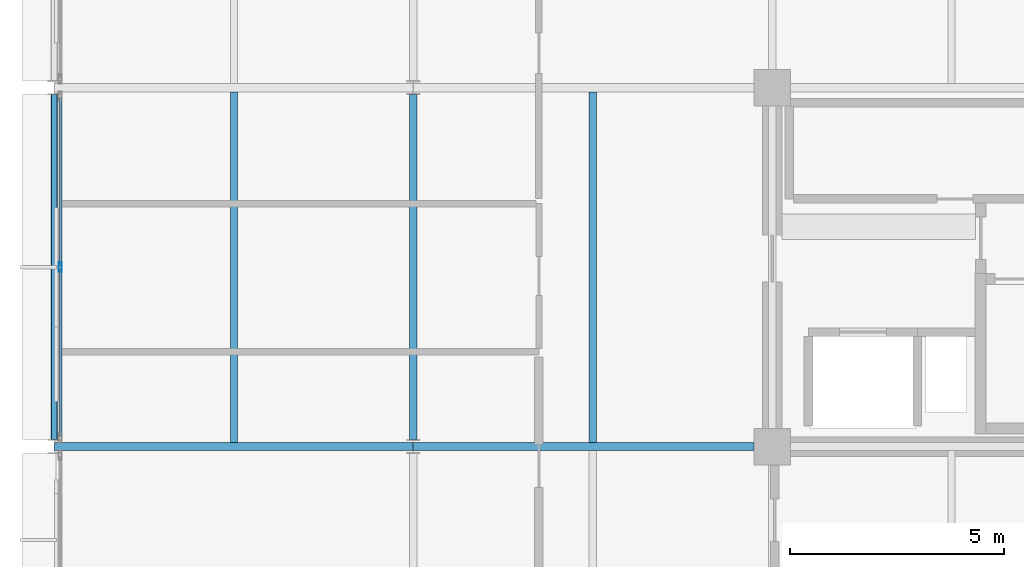
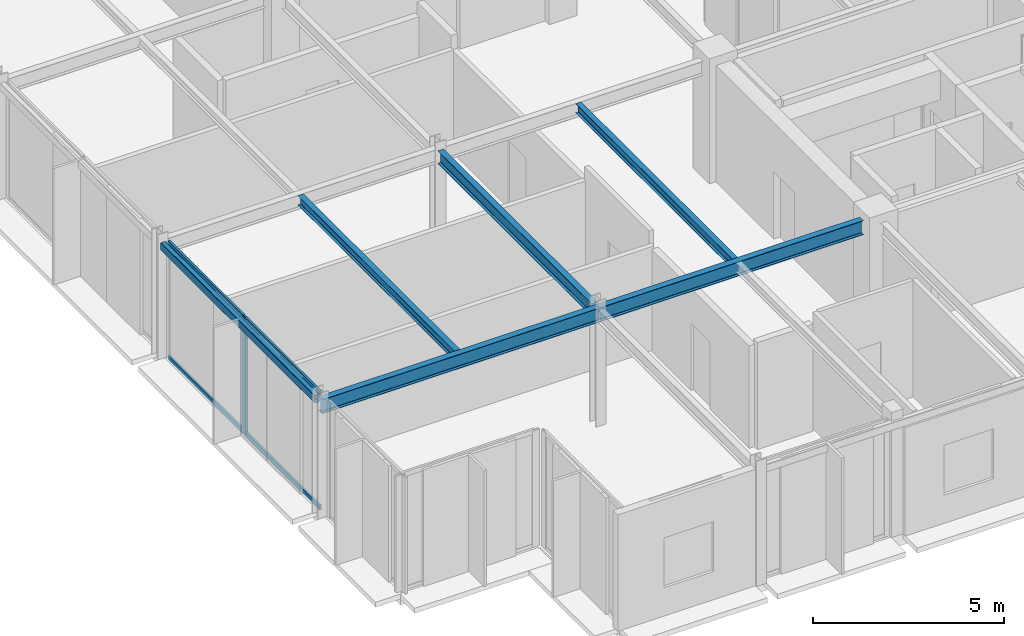
# One storey, part 4 of 23: 6 beams, 5 members, 1 element without a shape of its own.
"""IFC4 building model written with IfcOpenShell, lengths in metres."""

import ifcopenshell
import ifcopenshell.guid

model = None  # the IFC model being written
_history = None  # IfcOwnerHistory: only IFC2X3 demands one
_inside = {}  # id of a spatial element -> (the spatial element, [elements in it])
_under = {}  # id of a project, library or spatial element -> (it, [spatial elements below it])
_declared = {}  # id of a project -> (the project, [libraries it declares])
_typed = {}  # id of a type object -> (the type object, [elements of that type])
_made_of = {}  # id of a material, layer set ... -> (it, [elements and type objects made of it])


def new_model(schema):
    """Start an empty IFC model of exactly this schema.

    Asked for "IFC4X3", IfcOpenShell would pick the latest addendum, in which some entities
    have other attributes; the version numbers below select the first issue.
    IFC2X3 requires an IfcOwnerHistory on every rooted entity: one is made here for all.
    """
    global model, _history
    if schema == "IFC4X3":
        model = ifcopenshell.file(schema_version=(4, 3, 0, 0))
    else:
        model = ifcopenshell.file(schema=schema)
    _inside.clear()
    _under.clear()
    _declared.clear()
    _typed.clear()
    _made_of.clear()
    _history = None
    if model.schema == "IFC2X3":
        org = make("IfcOrganization", Name="unknown")
        user = make(
            "IfcPersonAndOrganization",
            ThePerson=make("IfcPerson", FamilyName="unknown"),
            TheOrganization=org,
        )
        app = make(
            "IfcApplication",
            ApplicationDeveloper=org,
            Version="unknown",
            ApplicationFullName="unknown",
            ApplicationIdentifier="unknown",
        )
        _history = make(
            "IfcOwnerHistory",
            OwningUser=user,
            OwningApplication=app,
            ChangeAction="ADDED",
            CreationDate=0,
        )
    return model


def make(cls, **values):
    """One entity of the class cls with the attributes given. An attribute that is None is left unset."""
    return model.create_entity(
        cls, **{name: value for name, value in values.items() if value is not None}
    )


def rooted(cls, **values):
    """An entity with a GlobalId (a new one), such as an element, a storey or a relation."""
    return make(cls, GlobalId=ifcopenshell.guid.new(), OwnerHistory=_history, **values)


def si_unit(unit_type, name, prefix=None):
    """IfcSIUnit, for example si_unit("LENGTHUNIT", "METRE", prefix="MILLI")."""
    return make("IfcSIUnit", UnitType=unit_type, Prefix=prefix, Name=name)


def assignment(units):
    """IfcUnitAssignment: the units of a project."""
    return None if units is None else make("IfcUnitAssignment", Units=units)


def point(xyz):
    """IfcCartesianPoint."""
    return None if xyz is None else make("IfcCartesianPoint", Coordinates=xyz)


def direction(xyz):
    """IfcDirection."""
    return None if xyz is None else make("IfcDirection", DirectionRatios=xyz)


def frame(location, z_axis=None, x_axis=None):
    """IfcAxis2Placement3D, a coordinate frame: its origin and axes. An axis left out is left unset."""
    return make(
        "IfcAxis2Placement3D",
        Location=point(location),
        Axis=direction(z_axis),
        RefDirection=direction(x_axis),
    )


def frame_2d(location, x_axis=None):
    """IfcAxis2Placement2D, a coordinate frame in the plane: its origin and x axis."""
    return make(
        "IfcAxis2Placement2D", Location=point(location), RefDirection=direction(x_axis)
    )


def origin():
    """The frame at (0, 0, 0) with its axes left unset."""
    return frame((0.0, 0.0, 0.0))


def origin_2d():
    """The frame at (0, 0) in the plane with its x axis left unset."""
    return frame_2d((0.0, 0.0))


def place(relative_to, where):
    """IfcLocalPlacement: puts the frame where relative to a parent placement (None: the world)."""
    return make(
        "IfcLocalPlacement", PlacementRelTo=relative_to, RelativePlacement=where
    )


def context(
    kind, dimensions, precision=None, world=None, true_north=None, identifier=None
):
    """IfcGeometricRepresentationContext, for example the 3D "Model" context."""
    return make(
        "IfcGeometricRepresentationContext",
        ContextIdentifier=identifier,
        ContextType=kind,
        CoordinateSpaceDimension=dimensions,
        Precision=precision,
        WorldCoordinateSystem=world,
        TrueNorth=true_north,
    )


def subcontext(parent, identifier, kind, view, scale=None):
    """IfcGeometricRepresentationSubContext, for example "Body" below "Model"."""
    return make(
        "IfcGeometricRepresentationSubContext",
        ContextIdentifier=identifier,
        ContextType=kind,
        ParentContext=parent,
        TargetScale=scale,
        TargetView=view,
    )


def project(units=None, contexts=None):
    """IfcProject with its units and contexts."""
    return rooted(
        "IfcProject",
        Name="project",
        RepresentationContexts=contexts,
        UnitsInContext=assignment(units),
    )


def spatial(cls, under=None, at=None, **own):
    """A site, building, storey or space (cls), placed at a placement, below another one or the project."""
    s = rooted(cls, ObjectPlacement=at, **own)
    if under is not None:
        _under.setdefault(under.id(), (under, []))[1].append(s)
    return s


def profile(cls, at=None, kind="AREA", **sizes):
    """A parametric profile (cls). Its sizes go by their IFC names, for example OverallWidth=200.0."""
    return make(cls, ProfileType=kind, Position=at, **sizes)


def hollow_rectangle(**sizes):
    """IfcRectangleHollowProfileDef."""
    return profile("IfcRectangleHollowProfileDef", **sizes)


def i_section(**sizes):
    """IfcIShapeProfileDef."""
    return profile("IfcIShapeProfileDef", **sizes)


def extrude(swept, where, along, depth):
    """IfcExtrudedAreaSolid: the profile swept, set in the frame where, extruded along a direction by depth."""
    return make(
        "IfcExtrudedAreaSolid",
        SweptArea=swept,
        Position=where,
        ExtrudedDirection=direction(along),
        Depth=depth,
    )


def shape(context_of_items, identifier, shape_type, items):
    """IfcShapeRepresentation: the items that make up one representation, for example the "Body"."""
    return make(
        "IfcShapeRepresentation",
        ContextOfItems=context_of_items,
        RepresentationIdentifier=identifier,
        RepresentationType=shape_type,
        Items=items,
    )


def material(Name=None, Category=None):
    """IfcMaterial."""
    return make("IfcMaterial", Name=Name, Category=Category)


def layer(
    of_material, thickness, ventilated=None, Name=None, Category=None, Priority=None
):
    """IfcMaterialLayer: one layer of a wall or slab, of a material (None: an air gap)."""
    return make(
        "IfcMaterialLayer",
        Material=of_material,
        LayerThickness=thickness,
        IsVentilated=ventilated,
        Name=Name,
        Category=Category,
        Priority=Priority,
    )


def layer_set(layers, Name=None):
    """IfcMaterialLayerSet."""
    return make("IfcMaterialLayerSet", MaterialLayers=layers, LayerSetName=Name)


def material_profile(
    of_material, cross_section, Name=None, Category=None, Priority=None
):
    """IfcMaterialProfile: a cross section and its material."""
    return make(
        "IfcMaterialProfile",
        Name=Name,
        Material=of_material,
        Profile=cross_section,
        Priority=Priority,
        Category=Category,
    )


def profile_set(profiles, Name=None, composite=None):
    """IfcMaterialProfileSet."""
    return make(
        "IfcMaterialProfileSet",
        Name=Name,
        MaterialProfiles=profiles,
        CompositeProfile=composite,
    )


def made_of(thing, what):
    """Note that an element or type object is made of a material, layer set ...; save() writes the relation."""
    if what is not None:
        _made_of.setdefault(what.id(), (what, []))[1].append(thing)
    return thing


def type_object(cls, material=None, **own):
    """A type object (cls), such as IfcWallType, which elements share."""
    return made_of(rooted(cls, **own), material)


def element(
    cls,
    number,
    at=None,
    inside=None,
    cuts=None,
    type_object=None,
    material=None,
    context=None,
    identifier="Body",
    shape_type=None,
    held_by="IfcProductDefinitionShape",
    body=None,
    shapes=None,
    **own,
):
    """One element of the class cls, such as IfcWall. Its Tag is "e" and its number.

    at: its placement. inside: the storey or other place that contains it. cuts: it is an
    opening in that element (IfcRelVoidsElement). A single representation is given by context,
    identifier, shape_type and body (its items); several are given by shapes. held_by: the class
    of the entity that holds the representations. save() writes the other relations.
    """
    e = rooted(cls, Tag="e%d" % number, ObjectPlacement=at, **own)
    if body is not None:
        shapes = [shape(context, identifier, shape_type, body)]
    if shapes is not None:
        e.Representation = make(held_by, Representations=shapes)
    if inside is not None:
        _inside.setdefault(inside.id(), (inside, []))[1].append(e)
    if cuts is not None:
        rooted(
            "IfcRelVoidsElement", RelatingBuildingElement=cuts, RelatedOpeningElement=e
        )
    if type_object is not None:
        _typed.setdefault(type_object.id(), (type_object, []))[1].append(e)
    return made_of(e, material)


def aggregate(whole, parts):
    """IfcRelAggregates: a whole, such as a stair, and the parts it consists of."""
    return rooted("IfcRelAggregates", RelatingObject=whole, RelatedObjects=parts)


def save(model, path):
    """Write the relations noted so far, then the file.

    IfcRelAggregates (storeys below a building ...), IfcRelContainedInSpatialStructure (elements
    in a storey), IfcRelDefinesByType, IfcRelAssociatesMaterial and IfcRelDeclares: one each for
    every whole, place, type object, material and project.
    """
    for whole, parts in _under.values():
        aggregate(whole, parts)
    for where, things in _inside.values():
        rooted(
            "IfcRelContainedInSpatialStructure",
            RelatedElements=things,
            RelatingStructure=where,
        )
    for kind, things in _typed.values():
        rooted("IfcRelDefinesByType", RelatedObjects=things, RelatingType=kind)
    for what, things in _made_of.values():
        rooted("IfcRelAssociatesMaterial", RelatedObjects=things, RelatingMaterial=what)
    for by, libraries in _declared.values():
        rooted("IfcRelDeclares", RelatingContext=by, RelatedDefinitions=libraries)
    model.write(path)


model = new_model("IFC4")

# Units and contexts
model_context = context("Model", 3, precision=1e-05, world=origin(), true_north=direction((0.0, 1.0)))
body_context = subcontext(model_context, "Body", "Model", "MODEL_VIEW")
ifc_project = project(units=[si_unit("LENGTHUNIT", "METRE"), si_unit("AREAUNIT", "SQUARE_METRE"), si_unit("VOLUMEUNIT", "CUBIC_METRE"), si_unit("PLANEANGLEUNIT", "RADIAN"), si_unit("MASSUNIT", "GRAM", prefix="KILO")], contexts=[model_context])

# Site, building, storey
site_placement = place(None, origin())
site = spatial("IfcSite", under=ifc_project, at=site_placement, CompositionType="ELEMENT")
building_placement = place(site_placement, origin())
building = spatial("IfcBuilding", under=site, at=building_placement, Name="Nerrivon Quay Data Exchange", CompositionType="ELEMENT")
storey_placement = place(building_placement, frame((0.0, 0.0, 286.199951171875)))
storey = spatial("IfcBuildingStorey", under=building, at=storey_placement, Name="L68", CompositionType="ELEMENT", Elevation=286.199951171875)

# Beams
ifc_material_1 = material(Name="Steel Grade 350", Category="steel")
ifc_material_profile_1 = material_profile(ifc_material_1, i_section(OverallWidth=0.18994140625, OverallDepth=0.4541015625, WebThickness=0.008544921875, FlangeThickness=0.0126953125, FilletRadius=0.011474609375, at=origin_2d()), Name="460UB67.1")
ifc_profile_set_1 = profile_set([ifc_material_profile_1], Name="Steel Grade 350")
beam_type_1 = type_object("IfcBeamType", Name="BM-G6-460UB67", PredefinedType="BEAM", material=ifc_profile_set_1)
beam_1_placement = place(storey_placement, frame((0.0078125, 8.39990234375, 3.498046875), z_axis=(1.0, 0.0, 0.0), x_axis=(0.0, 1.0, 0.0)))
element("IfcBeam", 1, at=beam_1_placement, inside=storey, type_object=beam_type_1, Name="L68 EW Girder Y=8.4 (0.0..8.4)", PredefinedType="BEAM", context=body_context, shape_type="SweptSolid", body=[
    extrude(i_section(OverallWidth=0.18994140625, OverallDepth=0.4541015625, WebThickness=0.008544921875, FlangeThickness=0.0126953125, FilletRadius=0.011474609375, at=origin_2d()), origin(), (0.0, 0.0, 1.0), 8.38427734375),
])
beam_2_placement = place(storey_placement, frame((8.40771484375, 8.39990234375, 3.498046875), z_axis=(1.0, 0.0, 0.0), x_axis=(0.0, 1.0, 0.0)))
element("IfcBeam", 2, at=beam_2_placement, inside=storey, type_object=beam_type_1, Name="L68 EW Girder Y=8.4 (8.4..16.8)", PredefinedType="BEAM", context=body_context, shape_type="SweptSolid", body=[
    extrude(i_section(OverallWidth=0.18994140625, OverallDepth=0.4541015625, WebThickness=0.008544921875, FlangeThickness=0.0126953125, FilletRadius=0.011474609375, at=origin_2d()), origin(), (0.0, 0.0, 1.0), 7.96728515625),
])
ifc_material_profile_2 = material_profile(ifc_material_1, i_section(OverallWidth=0.177978515625, OverallDepth=0.406005859375, WebThickness=0.0078125, FlangeThickness=0.0126953125, FilletRadius=0.011474609375, at=origin_2d()), Name="410UB59.7")
ifc_profile_set_2 = profile_set([ifc_material_profile_2], Name="Steel Grade 350")
beam_type_2 = type_object("IfcBeamType", Name="BM-J1-410UB60", PredefinedType="JOIST", material=ifc_profile_set_2)
beam_3_placement = place(storey_placement, frame((8.39990234375, 8.5634765625, 3.52197265625), z_axis=(0.0, 1.0, 0.0), x_axis=(-1.0, 0.0, 0.0)))
element("IfcBeam", 3, at=beam_3_placement, inside=storey, type_object=beam_type_2, Name="L68 NS Girder X=8.4 (8.4..16.8)", PredefinedType="JOIST", context=body_context, shape_type="SweptSolid", body=[
    extrude(i_section(OverallWidth=0.177978515625, OverallDepth=0.406005859375, WebThickness=0.0078125, FlangeThickness=0.0126953125, FilletRadius=0.011474609375, at=origin_2d()), origin(), (0.0, 0.0, 1.0), 8.072998046875),
])
ifc_material_profile_3 = material_profile(ifc_material_1, i_section(OverallWidth=0.1650390625, OverallDepth=0.303955078125, WebThickness=0.006103515625, FlangeThickness=0.01025390625, FilletRadius=0.011474609375, at=origin_2d()), Name="310UB40.4")
ifc_profile_set_3 = profile_set([ifc_material_profile_3], Name="Steel Grade 350")
beam_type_3 = type_object("IfcBeamType", Name="BM-J6-310UB40", PredefinedType="JOIST", material=ifc_profile_set_3)
for number, where, z_axis, x_axis, name in (
    (4, (4.199951171875, 8.4951171875, 3.572998046875), (0.0, 1.0, 0.0), (-1.0, 0.0, 0.0), "L68 Secondary Joist X=4.2 (8.4..16.8)"),
    (5, (12.60009765625, 8.4951171875, 3.572998046875), (0.0, 1.0, 0.0), (-1.0, 0.0, 0.0), "L68 Secondary Joist X=12.6 (8.4..16.8)"),
):
    element("IfcBeam", number, at=place(storey_placement, frame(where, z_axis=z_axis, x_axis=x_axis)), inside=storey, type_object=beam_type_3, Name=name, PredefinedType="JOIST", context=body_context, shape_type="SweptSolid", body=[
        extrude(i_section(OverallWidth=0.1650390625, OverallDepth=0.303955078125, WebThickness=0.006103515625, FlangeThickness=0.01025390625, FilletRadius=0.011474609375, at=origin_2d()), origin(), (0.0, 0.0, 1.0), 8.2099609375),
    ])
ifc_material_2 = material(Name="Steel Grade C350L0 (350 MPa)", Category="steel")
ifc_material_profile_4 = material_profile(ifc_material_2, hollow_rectangle(XDim=0.14990234375, YDim=0.25, WallThickness=0.009033203125, InnerFilletRadius=0.013427734375, OuterFilletRadius=0.0224609375, at=origin_2d()), Name="250x150x9.0RHS")
ifc_profile_set_4 = profile_set([ifc_material_profile_4], Name="Steel Grade C350L0 (350 MPa)")
beam_type_4 = type_object("IfcBeamType", Name="BM-SP4-250x150RHS", PredefinedType="SPANDREL", material=ifc_profile_set_4)
beam_4_placement = place(storey_placement, frame((0.0, 8.5634765625, 3.60009765625), z_axis=(0.0, 1.0, 0.0), x_axis=(-1.0, 0.0, 0.0)))
element("IfcBeam", 6, at=beam_4_placement, inside=storey, type_object=beam_type_4, Name="L68 NS Girder X=0.0 (8.4..16.8)", PredefinedType="SPANDREL", context=body_context, shape_type="SweptSolid", body=[
    extrude(hollow_rectangle(XDim=0.14990234375, YDim=0.25, WallThickness=0.009033203125, InnerFilletRadius=0.013427734375, OuterFilletRadius=0.0224609375, at=origin_2d()), origin(), (0.0, 0.0, 1.0), 8.072998046875),
])

# Curtain wall, members
ifc_material_3 = material(Name="Anodised aluminium 6063-T6", Category="aluminium")
ifc_layer = layer(ifc_material_3, 0.22998046875)
ifc_layer_set = layer_set([ifc_layer], Name="Anodised aluminium 6063-T6")
curtain_wall_type = type_object("IfcCurtainWallType", Name="CW-SYS-05", PredefinedType="NOTDEFINED", material=ifc_layer_set)
curtain_wall_placement = place(storey_placement, origin())
curtain_wall = element("IfcCurtainWall", 7, at=curtain_wall_placement, inside=storey, type_object=curtain_wall_type, Name="L68 Unitised Curtain Wall 11", PredefinedType="NOTDEFINED")
ifc_material_profile_5 = material_profile(ifc_material_3, hollow_rectangle(XDim=0.074951171875, YDim=0.219970703125, WallThickness=0.00390625, at=origin_2d()), Name="ALU-MULL-220x75")
ifc_profile_set_5 = profile_set([ifc_material_profile_5], Name="Anodised aluminium 6063-T6")
member_type_1 = type_object("IfcMemberType", Name="CWM-220x75", PredefinedType="MULLION", material=ifc_profile_set_5)
member_1_placement = place(storey_placement, frame((0.139892578125, 12.60009765625, 0.0), z_axis=(0.0, 0.0, 1.0), x_axis=(-1.0, 0.0, 0.0)))
member_1 = element("IfcMember", 8, at=member_1_placement, type_object=member_type_1, Name="CW05 mullion 2", PredefinedType="MULLION", context=body_context, shape_type="SweptSolid", body=[
    extrude(hollow_rectangle(XDim=0.074951171875, YDim=0.219970703125, WallThickness=0.00390625, at=origin_2d()), origin(), (0.0, 0.0, 1.0), 3.72509765625),
])
ifc_material_profile_6 = material_profile(ifc_material_3, hollow_rectangle(XDim=0.06494140625, YDim=0.14990234375, WallThickness=0.00341796875, at=origin_2d()), Name="ALU-TRAN-150x65")
ifc_profile_set_6 = profile_set([ifc_material_profile_6], Name="Anodised aluminium 6063-T6")
member_type_2 = type_object("IfcMemberType", Name="CWT-150x65", PredefinedType="USERDEFINED", material=ifc_profile_set_6)
member_2_placement = place(storey_placement, frame((0.139892578125, 8.638427734375, 0.032470703125), z_axis=(0.0, 1.0, 0.0), x_axis=(-1.0, 0.0, 0.0)))
member_2 = element("IfcMember", 9, at=member_2_placement, type_object=member_type_2, Name="CW05 transom 1.1", ObjectType="TRANSOM", PredefinedType="USERDEFINED", context=body_context, shape_type="SweptSolid", body=[
    extrude(hollow_rectangle(XDim=0.06494140625, YDim=0.14990234375, WallThickness=0.00341796875, at=origin_2d()), origin(), (0.0, 0.0, 1.0), 3.924072265625),
])
member_3_placement = place(storey_placement, frame((0.139892578125, 8.638427734375, 3.692626953125), z_axis=(0.0, 1.0, 0.0), x_axis=(-1.0, 0.0, 0.0)))
member_3 = element("IfcMember", 10, at=member_3_placement, type_object=member_type_2, Name="CW05 transom 1.2", ObjectType="TRANSOM", PredefinedType="USERDEFINED", context=body_context, shape_type="SweptSolid", body=[
    extrude(hollow_rectangle(XDim=0.06494140625, YDim=0.14990234375, WallThickness=0.00341796875, at=origin_2d()), origin(), (0.0, 0.0, 1.0), 3.924072265625),
])
member_4_placement = place(storey_placement, frame((0.139892578125, 12.637451171875, 0.032470703125), z_axis=(0.0, 1.0, 0.0), x_axis=(-1.0, 0.0, 0.0)))
member_4 = element("IfcMember", 11, at=member_4_placement, type_object=member_type_2, Name="CW05 transom 2.1", ObjectType="TRANSOM", PredefinedType="USERDEFINED", context=body_context, shape_type="SweptSolid", body=[
    extrude(hollow_rectangle(XDim=0.06494140625, YDim=0.14990234375, WallThickness=0.00341796875, at=origin_2d()), origin(), (0.0, 0.0, 1.0), 3.924072265625),
])
member_5_placement = place(storey_placement, frame((0.139892578125, 12.637451171875, 3.692626953125), z_axis=(0.0, 1.0, 0.0), x_axis=(-1.0, 0.0, 0.0)))
member_5 = element("IfcMember", 12, at=member_5_placement, type_object=member_type_2, Name="CW05 transom 2.2", ObjectType="TRANSOM", PredefinedType="USERDEFINED", context=body_context, shape_type="SweptSolid", body=[
    extrude(hollow_rectangle(XDim=0.06494140625, YDim=0.14990234375, WallThickness=0.00341796875, at=origin_2d()), origin(), (0.0, 0.0, 1.0), 3.924072265625),
])
aggregate(curtain_wall, [member_1, member_2, member_3, member_4, member_5])

save(model, "model.ifc")
